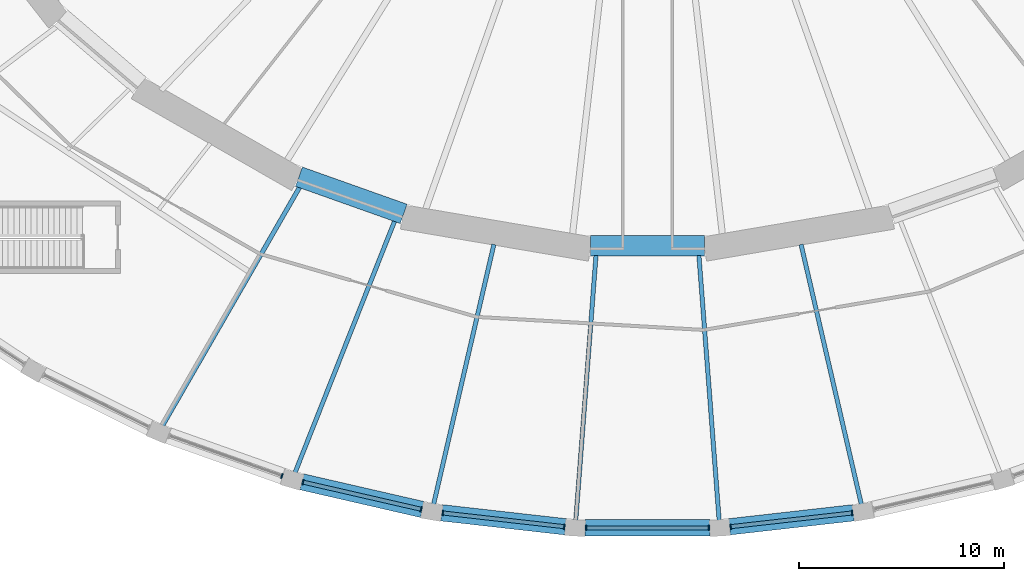
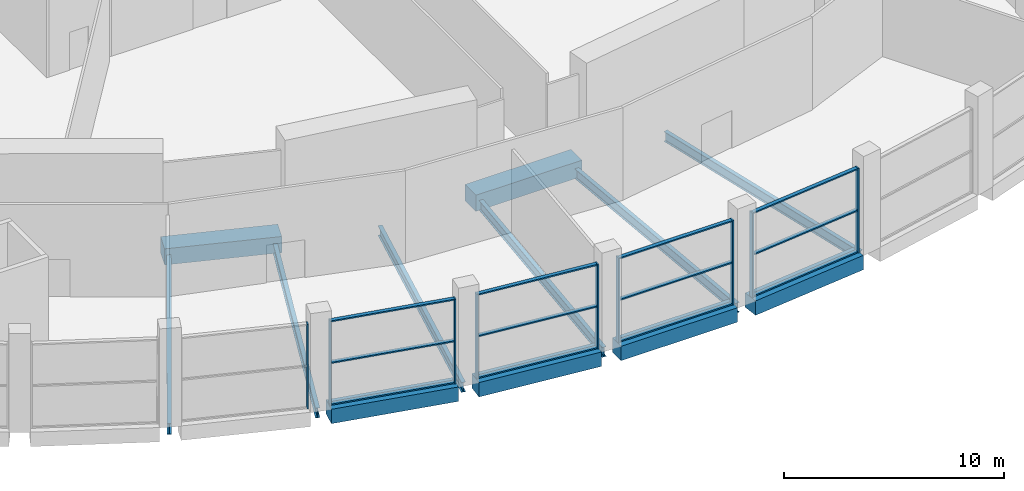
# One storey, part 3 of 29: 21 members, 12 beams, 5 elements without a shape of their own.
"""IFC4 building model written with IfcOpenShell, lengths in metres."""

from ifc_helpers import new_model, si_unit, direction, frame, origin, origin_2d, place, context, subcontext, project, spatial, rectangle, i_section, extrude, material, material_profile, profile_set, type_object, element, aggregate, save


model = new_model("IFC4")

# Units and contexts
model_context = context("Model", 3, precision=1e-05, world=origin(), true_north=direction((0.0, 1.0)))
body_context = subcontext(model_context, "Body", "Model", "MODEL_VIEW")
ifc_project = project(units=[si_unit("LENGTHUNIT", "METRE"), si_unit("AREAUNIT", "SQUARE_METRE"), si_unit("VOLUMEUNIT", "CUBIC_METRE"), si_unit("PLANEANGLEUNIT", "RADIAN"), si_unit("MASSUNIT", "GRAM", prefix="KILO")], contexts=[model_context])

# Site, building, storey
site_placement = place(None, origin())
site = spatial("IfcSite", under=ifc_project, at=site_placement, CompositionType="ELEMENT")
building_placement = place(site_placement, origin())
building = spatial("IfcBuilding", under=site, at=building_placement, Name="Halqa Exchange Tower", CompositionType="ELEMENT")
storey_placement = place(building_placement, frame((0.0, 0.0, 7.0)))
storey = spatial("IfcBuildingStorey", under=building, at=storey_placement, Name="L01", CompositionType="ELEMENT", Elevation=7.0)

# Curtain wall, member
ifc_material_1 = material(Name="Anodised aluminium and clear glass", Category="aluminium")
curtain_wall_type = type_object("IfcCurtainWallType", Name="Exchange hall glazing", PredefinedType="NOTDEFINED", material=ifc_material_1)
curtain_wall_1_placement = place(storey_placement, origin())
curtain_wall_1 = element("IfcCurtainWall", 1, at=curtain_wall_1_placement, inside=storey, type_object=curtain_wall_type, Name="Exchange hall glazing run P33", PredefinedType="NOTDEFINED")
ifc_material_2 = material(Name="Anodised aluminium", Category="aluminium")
ifc_material_profile_1 = material_profile(ifc_material_2, rectangle(XDim=0.25, YDim=0.070068359375, at=origin_2d()), Name="AL 70x250")
ifc_profile_set_1 = profile_set([ifc_material_profile_1], Name="Anodised aluminium")
member_type_1 = type_object("IfcMemberType", Name="Exchange hall glazing mullion 70 x 250", PredefinedType="MULLION", material=ifc_profile_set_1)
member_1_placement = place(storey_placement, frame((-17.86181640625, -43.663818359375, 0.0), z_axis=(0.0, 0.0, 1.0), x_axis=(0.334688348326, 0.942328875444, 0.0)))
member_1 = element("IfcMember", 2, at=member_1_placement, type_object=member_type_1, Name="P33 mullion 2", PredefinedType="MULLION", context=body_context, shape_type="SweptSolid", body=[
    extrude(rectangle(XDim=0.25, YDim=0.070068359375, at=origin_2d()), origin(), (0.0, 0.0, 1.0), 4.699951171875),
])
aggregate(curtain_wall_1, [member_1])

# Curtain wall, members
curtain_wall_2_placement = place(storey_placement, origin())
curtain_wall_2 = element("IfcCurtainWall", 3, at=curtain_wall_2_placement, inside=storey, type_object=curtain_wall_type, Name="Exchange hall glazing run P34", PredefinedType="NOTDEFINED")
member_2_placement = place(storey_placement, frame((-16.836181640625, -43.962646484375, 0.0), z_axis=(0.0, 0.0, 1.0), x_axis=(0.223896655269, 0.974612891234, 0.0)))
member_2 = element("IfcMember", 4, at=member_2_placement, type_object=member_type_1, Name="P34 mullion 1", PredefinedType="MULLION", context=body_context, shape_type="SweptSolid", body=[
    extrude(rectangle(XDim=0.25, YDim=0.070068359375, at=origin_2d()), origin(), (0.0, 0.0, 1.0), 4.699951171875),
])
member_3_placement = place(storey_placement, frame((-11.056396484375, -45.29052734375, 0.0), z_axis=(0.0, 0.0, 1.0), x_axis=(0.223896655269, 0.974612891234, 0.0)))
member_3 = element("IfcMember", 5, at=member_3_placement, type_object=member_type_1, Name="P34 mullion 2", PredefinedType="MULLION", context=body_context, shape_type="SweptSolid", body=[
    extrude(rectangle(XDim=0.25, YDim=0.070068359375, at=origin_2d()), origin(), (0.0, 0.0, 1.0), 4.699951171875),
])

curtain_wall_3_placement = place(storey_placement, origin())
curtain_wall_3 = element("IfcCurtainWall", 6, at=curtain_wall_3_placement, inside=storey, type_object=curtain_wall_type, Name="Exchange hall glazing run P35", PredefinedType="NOTDEFINED")
member_4_placement = place(storey_placement, frame((-10.00341796875, -45.470458984375, 0.0), z_axis=(0.0, 0.0, 1.0), x_axis=(0.112159098874, 0.993690261872, 0.0)))
member_4 = element("IfcMember", 7, at=member_4_placement, type_object=member_type_1, Name="P35 mullion 1", PredefinedType="MULLION", context=body_context, shape_type="SweptSolid", body=[
    extrude(rectangle(XDim=0.25, YDim=0.070068359375, at=origin_2d()), origin(), (0.0, 0.0, 1.0), 4.699951171875),
])
member_5_placement = place(storey_placement, frame((-4.0634765625, -46.140869140625, 0.0), z_axis=(0.0, 0.0, 1.0), x_axis=(0.112159098874, 0.993690261872, 0.0)))
member_5 = element("IfcMember", 8, at=member_5_placement, type_object=member_type_1, Name="P35 mullion 2", PredefinedType="MULLION", context=body_context, shape_type="SweptSolid", body=[
    extrude(rectangle(XDim=0.25, YDim=0.070068359375, at=origin_2d()), origin(), (0.0, 0.0, 1.0), 4.699951171875),
])

curtain_wall_4_placement = place(storey_placement, origin())
curtain_wall_4 = element("IfcCurtainWall", 9, at=curtain_wall_4_placement, inside=storey, type_object=curtain_wall_type, Name="Exchange hall glazing run P36", PredefinedType="NOTDEFINED")
member_6_placement = place(storey_placement, frame((-2.996826171875, -46.200927734375, 0.0), z_axis=(0.0, 0.0, 1.0), x_axis=(0.0, 1.0, 0.0)))
member_6 = element("IfcMember", 10, at=member_6_placement, type_object=member_type_1, Name="P36 mullion 1", PredefinedType="MULLION", context=body_context, shape_type="SweptSolid", body=[
    extrude(rectangle(XDim=0.25, YDim=0.070068359375, at=origin_2d()), origin(), (0.0, 0.0, 1.0), 4.699951171875),
])
member_7_placement = place(storey_placement, frame((2.996826171875, -46.200927734375, 0.0), z_axis=(0.0, 0.0, 1.0), x_axis=(0.0, 1.0, 0.0)))
member_7 = element("IfcMember", 11, at=member_7_placement, type_object=member_type_1, Name="P36 mullion 2", PredefinedType="MULLION", context=body_context, shape_type="SweptSolid", body=[
    extrude(rectangle(XDim=0.25, YDim=0.070068359375, at=origin_2d()), origin(), (0.0, 0.0, 1.0), 4.699951171875),
])

curtain_wall_5_placement = place(storey_placement, origin())
curtain_wall_5 = element("IfcCurtainWall", 12, at=curtain_wall_5_placement, inside=storey, type_object=curtain_wall_type, Name="Exchange hall glazing run P37", PredefinedType="NOTDEFINED")
member_8_placement = place(storey_placement, frame((4.0634765625, -46.140869140625, 0.0), z_axis=(0.0, 0.0, 1.0), x_axis=(-0.112159098874, 0.993690261872, 0.0)))
member_8 = element("IfcMember", 13, at=member_8_placement, type_object=member_type_1, Name="P37 mullion 1", PredefinedType="MULLION", context=body_context, shape_type="SweptSolid", body=[
    extrude(rectangle(XDim=0.25, YDim=0.070068359375, at=origin_2d()), origin(), (0.0, 0.0, 1.0), 4.699951171875),
])
member_9_placement = place(storey_placement, frame((10.00341796875, -45.470458984375, 0.0), z_axis=(0.0, 0.0, 1.0), x_axis=(-0.112159098874, 0.993690261872, 0.0)))
member_9 = element("IfcMember", 14, at=member_9_placement, type_object=member_type_1, Name="P37 mullion 2", PredefinedType="MULLION", context=body_context, shape_type="SweptSolid", body=[
    extrude(rectangle(XDim=0.25, YDim=0.070068359375, at=origin_2d()), origin(), (0.0, 0.0, 1.0), 4.699951171875),
])

# Member
ifc_material_profile_2 = material_profile(ifc_material_2, rectangle(XDim=0.199951171875, YDim=0.070068359375, at=origin_2d()), Name="AL 70x200")
ifc_profile_set_2 = profile_set([ifc_material_profile_2], Name="Anodised aluminium")
member_type_2 = type_object("IfcMemberType", Name="Exchange hall glazing transom 70 x 200", PredefinedType="USERDEFINED", material=ifc_profile_set_2)
member_10_placement = place(storey_placement, frame((-16.80224609375, -43.970458984375, 0.034912109375), z_axis=(0.974610483498, -0.223907135784, 0.0), x_axis=(0.223907135784, 0.974610483498, 0.0)))
member_10 = element("IfcMember", 15, at=member_10_placement, type_object=member_type_2, Name="P34 transom 1.1", ObjectType="TRANSOM", PredefinedType="USERDEFINED", context=body_context, shape_type="SweptSolid", body=[
    extrude(rectangle(XDim=0.199951171875, YDim=0.070068359375, at=origin_2d()), origin(), (0.0, 0.0, 1.0), 5.860595703125),
])

member_11_placement = place(storey_placement, frame((-16.80224609375, -43.970458984375, 2.35009765625), z_axis=(0.974610483498, -0.223907135784, 0.0), x_axis=(0.223907135784, 0.974610483498, 0.0)))
member_11 = element("IfcMember", 16, at=member_11_placement, type_object=member_type_2, Name="P34 transom 1.2", ObjectType="TRANSOM", PredefinedType="USERDEFINED", context=body_context, shape_type="SweptSolid", body=[
    extrude(rectangle(XDim=0.199951171875, YDim=0.070068359375, at=origin_2d()), origin(), (0.0, 0.0, 1.0), 5.860595703125),
])

member_12_placement = place(storey_placement, frame((-16.80224609375, -43.970458984375, 4.6650390625), z_axis=(0.974610483498, -0.223907135784, 0.0), x_axis=(0.223907135784, 0.974610483498, 0.0)))
member_12 = element("IfcMember", 17, at=member_12_placement, type_object=member_type_2, Name="P34 transom 1.3", ObjectType="TRANSOM", PredefinedType="USERDEFINED", context=body_context, shape_type="SweptSolid", body=[
    extrude(rectangle(XDim=0.199951171875, YDim=0.070068359375, at=origin_2d()), origin(), (0.0, 0.0, 1.0), 5.860595703125),
])

aggregate(curtain_wall_2, [member_2, member_3, member_10, member_11, member_12])

member_13_placement = place(storey_placement, frame((-9.968505859375, -45.474365234375, 0.034912109375), z_axis=(0.993690216271, -0.112159502889, 0.0), x_axis=(0.112159502889, 0.993690216271, 0.0)))
member_13 = element("IfcMember", 18, at=member_13_placement, type_object=member_type_2, Name="P35 transom 1.1", ObjectType="TRANSOM", PredefinedType="USERDEFINED", context=body_context, shape_type="SweptSolid", body=[
    extrude(rectangle(XDim=0.199951171875, YDim=0.070068359375, at=origin_2d()), origin(), (0.0, 0.0, 1.0), 5.90771484375),
])

member_14_placement = place(storey_placement, frame((-9.968505859375, -45.474365234375, 2.35009765625), z_axis=(0.993690216271, -0.112159502889, 0.0), x_axis=(0.112159502889, 0.993690216271, 0.0)))
member_14 = element("IfcMember", 19, at=member_14_placement, type_object=member_type_2, Name="P35 transom 1.2", ObjectType="TRANSOM", PredefinedType="USERDEFINED", context=body_context, shape_type="SweptSolid", body=[
    extrude(rectangle(XDim=0.199951171875, YDim=0.070068359375, at=origin_2d()), origin(), (0.0, 0.0, 1.0), 5.90771484375),
])

member_15_placement = place(storey_placement, frame((-9.968505859375, -45.474365234375, 4.6650390625), z_axis=(0.993690216271, -0.112159502889, 0.0), x_axis=(0.112159502889, 0.993690216271, 0.0)))
member_15 = element("IfcMember", 20, at=member_15_placement, type_object=member_type_2, Name="P35 transom 1.3", ObjectType="TRANSOM", PredefinedType="USERDEFINED", context=body_context, shape_type="SweptSolid", body=[
    extrude(rectangle(XDim=0.199951171875, YDim=0.070068359375, at=origin_2d()), origin(), (0.0, 0.0, 1.0), 5.90771484375),
])

aggregate(curtain_wall_3, [member_4, member_5, member_13, member_14, member_15])

member_16_placement = place(storey_placement, frame((-2.9619140625, -46.200927734375, 0.034912109375), z_axis=(1.0, 0.0, 0.0), x_axis=(0.0, 1.0, 0.0)))
member_16 = element("IfcMember", 21, at=member_16_placement, type_object=member_type_2, Name="P36 transom 1.1", ObjectType="TRANSOM", PredefinedType="USERDEFINED", context=body_context, shape_type="SweptSolid", body=[
    extrude(rectangle(XDim=0.199951171875, YDim=0.070068359375, at=origin_2d()), origin(), (0.0, 0.0, 1.0), 5.923828125),
])

member_17_placement = place(storey_placement, frame((-2.9619140625, -46.200927734375, 2.35009765625), z_axis=(1.0, 0.0, 0.0), x_axis=(0.0, 1.0, 0.0)))
member_17 = element("IfcMember", 22, at=member_17_placement, type_object=member_type_2, Name="P36 transom 1.2", ObjectType="TRANSOM", PredefinedType="USERDEFINED", context=body_context, shape_type="SweptSolid", body=[
    extrude(rectangle(XDim=0.199951171875, YDim=0.070068359375, at=origin_2d()), origin(), (0.0, 0.0, 1.0), 5.923828125),
])

member_18_placement = place(storey_placement, frame((-2.9619140625, -46.200927734375, 4.6650390625), z_axis=(1.0, 0.0, 0.0), x_axis=(0.0, 1.0, 0.0)))
member_18 = element("IfcMember", 23, at=member_18_placement, type_object=member_type_2, Name="P36 transom 1.3", ObjectType="TRANSOM", PredefinedType="USERDEFINED", context=body_context, shape_type="SweptSolid", body=[
    extrude(rectangle(XDim=0.199951171875, YDim=0.070068359375, at=origin_2d()), origin(), (0.0, 0.0, 1.0), 5.923828125),
])

aggregate(curtain_wall_4, [member_6, member_7, member_16, member_17, member_18])

member_19_placement = place(storey_placement, frame((4.09814453125, -46.136962890625, 0.034912109375), z_axis=(0.993690216271, 0.112159502889, 0.0), x_axis=(-0.112159502889, 0.993690216271, 0.0)))
member_19 = element("IfcMember", 24, at=member_19_placement, type_object=member_type_2, Name="P37 transom 1.1", ObjectType="TRANSOM", PredefinedType="USERDEFINED", context=body_context, shape_type="SweptSolid", body=[
    extrude(rectangle(XDim=0.199951171875, YDim=0.070068359375, at=origin_2d()), origin(), (0.0, 0.0, 1.0), 5.90771484375),
])

member_20_placement = place(storey_placement, frame((4.09814453125, -46.136962890625, 2.35009765625), z_axis=(0.993690216271, 0.112159502889, 0.0), x_axis=(-0.112159502889, 0.993690216271, 0.0)))
member_20 = element("IfcMember", 25, at=member_20_placement, type_object=member_type_2, Name="P37 transom 1.2", ObjectType="TRANSOM", PredefinedType="USERDEFINED", context=body_context, shape_type="SweptSolid", body=[
    extrude(rectangle(XDim=0.199951171875, YDim=0.070068359375, at=origin_2d()), origin(), (0.0, 0.0, 1.0), 5.90771484375),
])

member_21_placement = place(storey_placement, frame((4.09814453125, -46.136962890625, 4.6650390625), z_axis=(0.993690216271, 0.112159502889, 0.0), x_axis=(-0.112159502889, 0.993690216271, 0.0)))
member_21 = element("IfcMember", 26, at=member_21_placement, type_object=member_type_2, Name="P37 transom 1.3", ObjectType="TRANSOM", PredefinedType="USERDEFINED", context=body_context, shape_type="SweptSolid", body=[
    extrude(rectangle(XDim=0.199951171875, YDim=0.070068359375, at=origin_2d()), origin(), (0.0, 0.0, 1.0), 5.90771484375),
])

aggregate(curtain_wall_5, [member_8, member_9, member_19, member_20, member_21])

# Beams
ifc_material_3 = material(Name="Steel S355", Category="steel")
ifc_material_profile_3 = material_profile(ifc_material_3, i_section(OverallWidth=0.2099609375, OverallDepth=0.550048828125, WebThickness=0.010986328125, FlangeThickness=0.01708984375, FilletRadius=0.02392578125, at=origin_2d()), Name="IPE 550")
ifc_profile_set_3 = profile_set([ifc_material_profile_3], Name="Steel S355")
beam_type_1 = type_object("IfcBeamType", Name="Floor beam IPE 550", PredefinedType="BEAM", material=ifc_profile_set_3)
beam_1_placement = place(storey_placement, frame((-12.352294921875, -31.2001953125, -0.625), z_axis=(-0.368106640822, -0.929783577497, 0.0), x_axis=(0.929783577497, -0.368106640822, 0.0)))
element("IfcBeam", 27, at=beam_1_placement, inside=storey, type_object=beam_type_1, Name="Radial beam 34", PredefinedType="BEAM", context=body_context, shape_type="SweptSolid", body=[
    extrude(i_section(OverallWidth=0.2099609375, OverallDepth=0.550048828125, WebThickness=0.010986328125, FlangeThickness=0.01708984375, FilletRadius=0.02392578125, at=origin_2d()), origin(), (0.0, 0.0, 1.0), 13.22412109375),
])
beam_2_placement = place(storey_placement, frame((-7.5048828125, -32.35009765625, -0.625), z_axis=(-0.2259960959, -0.974128207495, 0.0), x_axis=(0.974128207495, -0.2259960959, 0.0)))
element("IfcBeam", 28, at=beam_2_placement, inside=storey, type_object=beam_type_1, Name="Radial beam 35", PredefinedType="BEAM", context=body_context, shape_type="SweptSolid", body=[
    extrude(i_section(OverallWidth=0.2099609375, OverallDepth=0.550048828125, WebThickness=0.010986328125, FlangeThickness=0.01708984375, FilletRadius=0.02392578125, at=origin_2d()), origin(), (0.0, 0.0, 1.0), 13.03466796875),
])
for number, where, z_axis, x_axis, name in (
    (29, (-2.513916015625, -32.88623046875, -0.625), (-0.076223337155, -0.997090769626, 0.0), (0.997090769626, -0.076223337155, 0.0), "Radial beam 36"),
    (30, (2.513916015625, -32.88623046875, -0.625), (0.076223337155, -0.997090769626, 0.0), (0.997090769626, 0.076223337155, 0.0), "Radial beam 37"),
):
    element("IfcBeam", number, at=place(storey_placement, frame(where, z_axis=z_axis, x_axis=x_axis)), inside=storey, type_object=beam_type_1, Name=name, PredefinedType="BEAM", context=body_context, shape_type="SweptSolid", body=[
        extrude(i_section(OverallWidth=0.2099609375, OverallDepth=0.550048828125, WebThickness=0.010986328125, FlangeThickness=0.01708984375, FilletRadius=0.02392578125, at=origin_2d()), origin(), (0.0, 0.0, 1.0), 12.981689453125),
    ])
beam_3_placement = place(storey_placement, frame((7.5048828125, -32.35009765625, -0.625), z_axis=(0.2259960959, -0.974128207495, 0.0), x_axis=(0.974128207495, 0.2259960959, 0.0)))
element("IfcBeam", 31, at=beam_3_placement, inside=storey, type_object=beam_type_1, Name="Radial beam 38", PredefinedType="BEAM", context=body_context, shape_type="SweptSolid", body=[
    extrude(i_section(OverallWidth=0.2099609375, OverallDepth=0.550048828125, WebThickness=0.010986328125, FlangeThickness=0.01708984375, FilletRadius=0.02392578125, at=origin_2d()), origin(), (0.0, 0.0, 1.0), 13.03466796875),
])
ifc_material_profile_4 = material_profile(ifc_material_3, i_section(OverallWidth=0.219970703125, OverallDepth=0.60009765625, WebThickness=0.011962890625, FlangeThickness=0.01904296875, FilletRadius=0.02392578125, at=origin_2d()), Name="IPE 600")
ifc_profile_set_4 = profile_set([ifc_material_profile_4], Name="Steel S355")
beam_type_2 = type_object("IfcBeamType", Name="Floor beam IPE 600", PredefinedType="BEAM", material=ifc_profile_set_4)
beam_4_placement = place(storey_placement, frame((-16.996826171875, -29.551513671875, -0.64990234375), z_axis=(-0.498570786865, -0.866848989435, 0.0), x_axis=(0.866848989435, -0.498570786865, 0.0)))
element("IfcBeam", 32, at=beam_4_placement, inside=storey, type_object=beam_type_2, Name="Radial beam 33", PredefinedType="BEAM", context=body_context, shape_type="SweptSolid", body=[
    extrude(i_section(OverallWidth=0.219970703125, OverallDepth=0.60009765625, WebThickness=0.011962890625, FlangeThickness=0.01904296875, FilletRadius=0.02392578125, at=origin_2d()), origin(), (0.0, 0.0, 1.0), 13.438720703125),
])
ifc_material_4 = material(Name="Concrete C60/75", Category="concrete")
ifc_material_profile_5 = material_profile(ifc_material_4, rectangle(XDim=0.800048828125, YDim=0.800048828125, at=origin_2d()), Name="800 x 800")
ifc_profile_set_5 = profile_set([ifc_material_profile_5], Name="Concrete C60/75")
beam_type_3 = type_object("IfcBeamType", Name="RC podium edge beam 800 x 800 C60/75", PredefinedType="SPANDREL", material=ifc_profile_set_5)
beam_5_placement = place(storey_placement, frame((-16.89794921875, -43.948486328125, -0.39990234375), z_axis=(0.974604133477, -0.223934774008, 0.0), x_axis=(0.223934774008, 0.974604133477, 0.0)))
element("IfcBeam", 33, at=beam_5_placement, inside=storey, type_object=beam_type_3, Name="Podium edge beam 34", PredefinedType="SPANDREL", context=body_context, shape_type="SweptSolid", body=[
    extrude(rectangle(XDim=0.800048828125, YDim=0.800048828125, at=origin_2d()), origin(), (0.0, 0.0, 1.0), 6.05517578125),
])
beam_6_placement = place(storey_placement, frame((-10.064453125, -45.46337890625, -0.39990234375), z_axis=(0.993688954696, -0.112170679393, 0.0), x_axis=(0.112170679393, 0.993688954696, 0.0)))
element("IfcBeam", 34, at=beam_6_placement, inside=storey, type_object=beam_type_3, Name="Podium edge beam 35", PredefinedType="SPANDREL", context=body_context, shape_type="SweptSolid", body=[
    extrude(rectangle(XDim=0.800048828125, YDim=0.800048828125, at=origin_2d()), origin(), (0.0, 0.0, 1.0), 6.100830078125),
])
beam_7_placement = place(storey_placement, frame((-3.05859375, -46.200927734375, -0.39990234375), z_axis=(1.0, 0.0, 0.0), x_axis=(0.0, 1.0, 0.0)))
element("IfcBeam", 35, at=beam_7_placement, inside=storey, type_object=beam_type_3, Name="Podium edge beam 36", PredefinedType="SPANDREL", context=body_context, shape_type="SweptSolid", body=[
    extrude(rectangle(XDim=0.800048828125, YDim=0.800048828125, at=origin_2d()), origin(), (0.0, 0.0, 1.0), 6.1171875),
])
beam_8_placement = place(storey_placement, frame((4.002197265625, -46.147705078125, -0.39990234375), z_axis=(0.993688954696, 0.112170679393, 0.0), x_axis=(-0.112170679393, 0.993688954696, 0.0)))
element("IfcBeam", 36, at=beam_8_placement, inside=storey, type_object=beam_type_3, Name="Podium edge beam 37", PredefinedType="SPANDREL", context=body_context, shape_type="SweptSolid", body=[
    extrude(rectangle(XDim=0.800048828125, YDim=0.800048828125, at=origin_2d()), origin(), (0.0, 0.0, 1.0), 6.100830078125),
])
ifc_material_profile_6 = material_profile(ifc_material_4, rectangle(XDim=1.0, YDim=0.89990234375, at=origin_2d()), Name="1000 x 900")
ifc_profile_set_6 = profile_set([ifc_material_profile_6], Name="Concrete C60/75")
beam_type_4 = type_object("IfcBeamType", Name="RC spandrel beam 1000 x 900 C60/75", PredefinedType="SPANDREL", material=ifc_profile_set_6)
beam_9_placement = place(storey_placement, frame((-17.030029296875, -29.038818359375, -0.449951171875), z_axis=(0.942357788657, -0.334606930826, 0.0), x_axis=(0.334606930826, 0.942357788657, 0.0)))
element("IfcBeam", 37, at=beam_9_placement, inside=storey, type_object=beam_type_4, Name="Spandrel 22", PredefinedType="SPANDREL", context=body_context, shape_type="SweptSolid", body=[
    extrude(rectangle(XDim=1.0, YDim=0.89990234375, at=origin_2d()), origin(), (0.0, 0.0, 1.0), 5.429931640625),
])
beam_10_placement = place(storey_placement, frame((-2.789794921875, -32.41455078125, -0.449951171875), z_axis=(1.0, 0.0, 0.0), x_axis=(0.0, 1.0, 0.0)))
element("IfcBeam", 38, at=beam_10_placement, inside=storey, type_object=beam_type_4, Name="Spandrel 24", PredefinedType="SPANDREL", context=body_context, shape_type="SweptSolid", body=[
    extrude(rectangle(XDim=1.0, YDim=0.89990234375, at=origin_2d()), origin(), (0.0, 0.0, 1.0), 5.57958984375),
])

save(model, "model.ifc")
